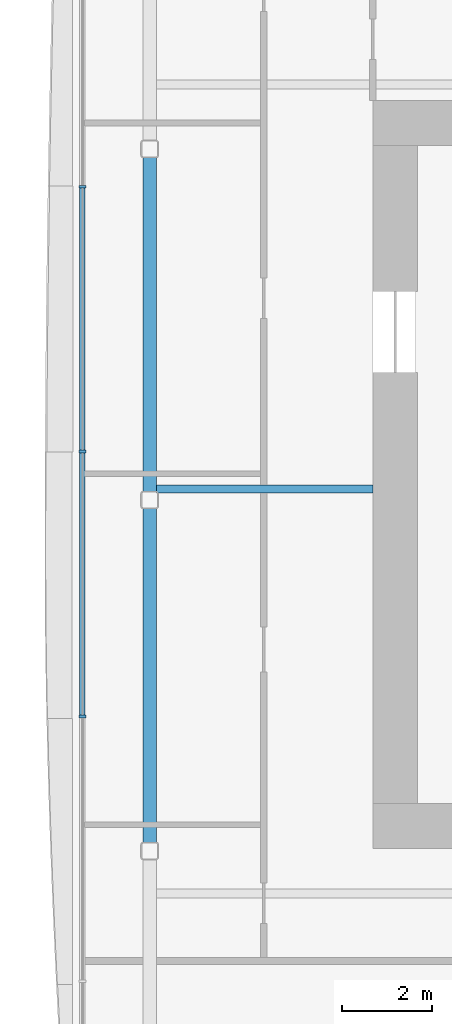
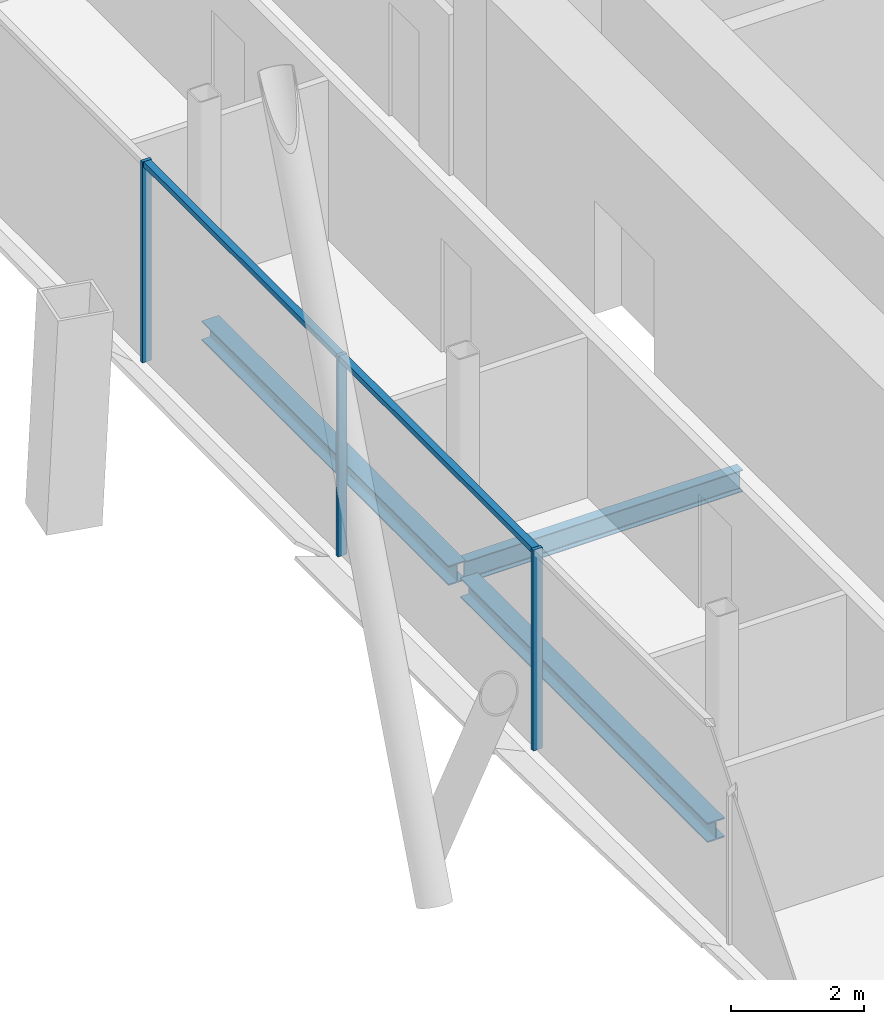
# One storey, part 5 of 22: 5 members, 3 beams, 1 element without a shape of its own.
"""IFC4 building model written with IfcOpenShell, lengths in metres."""

import ifcopenshell
import ifcopenshell.guid

model = None  # the IFC model being written
_history = None  # IfcOwnerHistory: only IFC2X3 demands one
_inside = {}  # id of a spatial element -> (the spatial element, [elements in it])
_under = {}  # id of a project, library or spatial element -> (it, [spatial elements below it])
_declared = {}  # id of a project -> (the project, [libraries it declares])
_typed = {}  # id of a type object -> (the type object, [elements of that type])
_made_of = {}  # id of a material, layer set ... -> (it, [elements and type objects made of it])


def new_model(schema):
    """Start an empty IFC model of exactly this schema.

    Asked for "IFC4X3", IfcOpenShell would pick the latest addendum, in which some entities
    have other attributes; the version numbers below select the first issue.
    IFC2X3 requires an IfcOwnerHistory on every rooted entity: one is made here for all.
    """
    global model, _history
    if schema == "IFC4X3":
        model = ifcopenshell.file(schema_version=(4, 3, 0, 0))
    else:
        model = ifcopenshell.file(schema=schema)
    _inside.clear()
    _under.clear()
    _declared.clear()
    _typed.clear()
    _made_of.clear()
    _history = None
    if model.schema == "IFC2X3":
        org = make("IfcOrganization", Name="unknown")
        user = make(
            "IfcPersonAndOrganization",
            ThePerson=make("IfcPerson", FamilyName="unknown"),
            TheOrganization=org,
        )
        app = make(
            "IfcApplication",
            ApplicationDeveloper=org,
            Version="unknown",
            ApplicationFullName="unknown",
            ApplicationIdentifier="unknown",
        )
        _history = make(
            "IfcOwnerHistory",
            OwningUser=user,
            OwningApplication=app,
            ChangeAction="ADDED",
            CreationDate=0,
        )
    return model


def make(cls, **values):
    """One entity of the class cls with the attributes given. An attribute that is None is left unset."""
    return model.create_entity(
        cls, **{name: value for name, value in values.items() if value is not None}
    )


def rooted(cls, **values):
    """An entity with a GlobalId (a new one), such as an element, a storey or a relation."""
    return make(cls, GlobalId=ifcopenshell.guid.new(), OwnerHistory=_history, **values)


def si_unit(unit_type, name, prefix=None):
    """IfcSIUnit, for example si_unit("LENGTHUNIT", "METRE", prefix="MILLI")."""
    return make("IfcSIUnit", UnitType=unit_type, Prefix=prefix, Name=name)


def assignment(units):
    """IfcUnitAssignment: the units of a project."""
    return None if units is None else make("IfcUnitAssignment", Units=units)


def point(xyz):
    """IfcCartesianPoint."""
    return None if xyz is None else make("IfcCartesianPoint", Coordinates=xyz)


def direction(xyz):
    """IfcDirection."""
    return None if xyz is None else make("IfcDirection", DirectionRatios=xyz)


def frame(location, z_axis=None, x_axis=None):
    """IfcAxis2Placement3D, a coordinate frame: its origin and axes. An axis left out is left unset."""
    return make(
        "IfcAxis2Placement3D",
        Location=point(location),
        Axis=direction(z_axis),
        RefDirection=direction(x_axis),
    )


def frame_2d(location, x_axis=None):
    """IfcAxis2Placement2D, a coordinate frame in the plane: its origin and x axis."""
    return make(
        "IfcAxis2Placement2D", Location=point(location), RefDirection=direction(x_axis)
    )


def origin():
    """The frame at (0, 0, 0) with its axes left unset."""
    return frame((0.0, 0.0, 0.0))


def origin_2d():
    """The frame at (0, 0) in the plane with its x axis left unset."""
    return frame_2d((0.0, 0.0))


def place(relative_to, where):
    """IfcLocalPlacement: puts the frame where relative to a parent placement (None: the world)."""
    return make(
        "IfcLocalPlacement", PlacementRelTo=relative_to, RelativePlacement=where
    )


def context(
    kind, dimensions, precision=None, world=None, true_north=None, identifier=None
):
    """IfcGeometricRepresentationContext, for example the 3D "Model" context."""
    return make(
        "IfcGeometricRepresentationContext",
        ContextIdentifier=identifier,
        ContextType=kind,
        CoordinateSpaceDimension=dimensions,
        Precision=precision,
        WorldCoordinateSystem=world,
        TrueNorth=true_north,
    )


def subcontext(parent, identifier, kind, view, scale=None):
    """IfcGeometricRepresentationSubContext, for example "Body" below "Model"."""
    return make(
        "IfcGeometricRepresentationSubContext",
        ContextIdentifier=identifier,
        ContextType=kind,
        ParentContext=parent,
        TargetScale=scale,
        TargetView=view,
    )


def project(units=None, contexts=None):
    """IfcProject with its units and contexts."""
    return rooted(
        "IfcProject",
        Name="project",
        RepresentationContexts=contexts,
        UnitsInContext=assignment(units),
    )


def spatial(cls, under=None, at=None, **own):
    """A site, building, storey or space (cls), placed at a placement, below another one or the project."""
    s = rooted(cls, ObjectPlacement=at, **own)
    if under is not None:
        _under.setdefault(under.id(), (under, []))[1].append(s)
    return s


def profile(cls, at=None, kind="AREA", **sizes):
    """A parametric profile (cls). Its sizes go by their IFC names, for example OverallWidth=200.0."""
    return make(cls, ProfileType=kind, Position=at, **sizes)


def rectangle(**sizes):
    """IfcRectangleProfileDef."""
    return profile("IfcRectangleProfileDef", **sizes)


def i_section(**sizes):
    """IfcIShapeProfileDef."""
    return profile("IfcIShapeProfileDef", **sizes)


def extrude(swept, where, along, depth):
    """IfcExtrudedAreaSolid: the profile swept, set in the frame where, extruded along a direction by depth."""
    return make(
        "IfcExtrudedAreaSolid",
        SweptArea=swept,
        Position=where,
        ExtrudedDirection=direction(along),
        Depth=depth,
    )


def shape(context_of_items, identifier, shape_type, items):
    """IfcShapeRepresentation: the items that make up one representation, for example the "Body"."""
    return make(
        "IfcShapeRepresentation",
        ContextOfItems=context_of_items,
        RepresentationIdentifier=identifier,
        RepresentationType=shape_type,
        Items=items,
    )


def material(Name=None, Category=None):
    """IfcMaterial."""
    return make("IfcMaterial", Name=Name, Category=Category)


def material_profile(
    of_material, cross_section, Name=None, Category=None, Priority=None
):
    """IfcMaterialProfile: a cross section and its material."""
    return make(
        "IfcMaterialProfile",
        Name=Name,
        Material=of_material,
        Profile=cross_section,
        Priority=Priority,
        Category=Category,
    )


def profile_set(profiles, Name=None, composite=None):
    """IfcMaterialProfileSet."""
    return make(
        "IfcMaterialProfileSet",
        Name=Name,
        MaterialProfiles=profiles,
        CompositeProfile=composite,
    )


def made_of(thing, what):
    """Note that an element or type object is made of a material, layer set ...; save() writes the relation."""
    if what is not None:
        _made_of.setdefault(what.id(), (what, []))[1].append(thing)
    return thing


def type_object(cls, material=None, **own):
    """A type object (cls), such as IfcWallType, which elements share."""
    return made_of(rooted(cls, **own), material)


def element(
    cls,
    number,
    at=None,
    inside=None,
    cuts=None,
    type_object=None,
    material=None,
    context=None,
    identifier="Body",
    shape_type=None,
    held_by="IfcProductDefinitionShape",
    body=None,
    shapes=None,
    **own,
):
    """One element of the class cls, such as IfcWall. Its Tag is "e" and its number.

    at: its placement. inside: the storey or other place that contains it. cuts: it is an
    opening in that element (IfcRelVoidsElement). A single representation is given by context,
    identifier, shape_type and body (its items); several are given by shapes. held_by: the class
    of the entity that holds the representations. save() writes the other relations.
    """
    e = rooted(cls, Tag="e%d" % number, ObjectPlacement=at, **own)
    if body is not None:
        shapes = [shape(context, identifier, shape_type, body)]
    if shapes is not None:
        e.Representation = make(held_by, Representations=shapes)
    if inside is not None:
        _inside.setdefault(inside.id(), (inside, []))[1].append(e)
    if cuts is not None:
        rooted(
            "IfcRelVoidsElement", RelatingBuildingElement=cuts, RelatedOpeningElement=e
        )
    if type_object is not None:
        _typed.setdefault(type_object.id(), (type_object, []))[1].append(e)
    return made_of(e, material)


def aggregate(whole, parts):
    """IfcRelAggregates: a whole, such as a stair, and the parts it consists of."""
    return rooted("IfcRelAggregates", RelatingObject=whole, RelatedObjects=parts)


def save(model, path):
    """Write the relations noted so far, then the file.

    IfcRelAggregates (storeys below a building ...), IfcRelContainedInSpatialStructure (elements
    in a storey), IfcRelDefinesByType, IfcRelAssociatesMaterial and IfcRelDeclares: one each for
    every whole, place, type object, material and project.
    """
    for whole, parts in _under.values():
        aggregate(whole, parts)
    for where, things in _inside.values():
        rooted(
            "IfcRelContainedInSpatialStructure",
            RelatedElements=things,
            RelatingStructure=where,
        )
    for kind, things in _typed.values():
        rooted("IfcRelDefinesByType", RelatedObjects=things, RelatingType=kind)
    for what, things in _made_of.values():
        rooted("IfcRelAssociatesMaterial", RelatedObjects=things, RelatingMaterial=what)
    for by, libraries in _declared.values():
        rooted("IfcRelDeclares", RelatingContext=by, RelatedDefinitions=libraries)
    model.write(path)


model = new_model("IFC4")

# Units and contexts
model_context = context("Model", 3, precision=1e-05, world=origin(), true_north=direction((0.0, 1.0)))
body_context = subcontext(model_context, "Body", "Model", "MODEL_VIEW")
ifc_project = project(units=[si_unit("LENGTHUNIT", "METRE"), si_unit("AREAUNIT", "SQUARE_METRE"), si_unit("VOLUMEUNIT", "CUBIC_METRE"), si_unit("PLANEANGLEUNIT", "RADIAN"), si_unit("MASSUNIT", "GRAM", prefix="KILO")], contexts=[model_context])

# Site, building, storey
site_placement = place(None, origin())
site = spatial("IfcSite", under=ifc_project, at=site_placement, CompositionType="ELEMENT")
building_placement = place(site_placement, origin())
building = spatial("IfcBuilding", under=site, at=building_placement, Name="Tskaro Facet Tower", CompositionType="ELEMENT")
storey_placement = place(building_placement, frame((0.0, 0.0, 85.5)))
storey = spatial("IfcBuildingStorey", under=building, at=storey_placement, Name="L20", CompositionType="ELEMENT", Elevation=85.5)

# Curtain wall, members
ifc_material_1 = material(Name="Bronze anodised aluminium 6063-T6", Category="aluminium")
curtain_wall_type = type_object("IfcCurtainWallType", Name="Bronze office curtain wall (FW1)", PredefinedType="NOTDEFINED", material=ifc_material_1)
curtain_wall_placement = place(storey_placement, origin())
curtain_wall = element("IfcCurtainWall", 1, at=curtain_wall_placement, inside=storey, type_object=curtain_wall_type, Name="FW1 west facet L20", PredefinedType="NOTDEFINED")
ifc_material_profile_1 = material_profile(ifc_material_1, rectangle(XDim=0.06005859375, YDim=0.159912109375, at=origin_2d()), Name="Mullion 60x160")
ifc_profile_set_1 = profile_set([ifc_material_profile_1], Name="Bronze anodised aluminium 6063-T6")
member_type_1 = type_object("IfcMemberType", Name="FW1 bronze mullion 60x160", PredefinedType="MULLION", material=ifc_profile_set_1)
member_1_placement = place(storey_placement, frame((-21.462890625, 2.229736328125, 0.0), z_axis=(0.0, 0.0, 1.0), x_axis=(0.0, -1.0, 0.0)))
member_1 = element("IfcMember", 2, at=member_1_placement, type_object=member_type_1, Name="FW1 west mullion 3", PredefinedType="MULLION", context=body_context, shape_type="SweptSolid", body=[
    extrude(rectangle(XDim=0.06005859375, YDim=0.159912109375, at=origin_2d()), origin(), (0.0, 0.0, 1.0), 3.699951171875),
])
member_2_placement = place(storey_placement, frame((-21.462890625, -3.664794921875, 0.0), z_axis=(0.0, 0.0, 1.0), x_axis=(0.0, -1.0, 0.0)))
member_2 = element("IfcMember", 3, at=member_2_placement, type_object=member_type_1, Name="FW1 west mullion 4", PredefinedType="MULLION", context=body_context, shape_type="SweptSolid", body=[
    extrude(rectangle(XDim=0.06005859375, YDim=0.159912109375, at=origin_2d()), origin(), (0.0, 0.0, 1.0), 3.699951171875),
])
member_3_placement = place(storey_placement, frame((-21.462890625, -9.55908203125, 0.0), z_axis=(0.0, 0.0, 1.0), x_axis=(0.0, -1.0, 0.0)))
member_3 = element("IfcMember", 4, at=member_3_placement, type_object=member_type_1, Name="FW1 west mullion 5", PredefinedType="MULLION", context=body_context, shape_type="SweptSolid", body=[
    extrude(rectangle(XDim=0.06005859375, YDim=0.159912109375, at=origin_2d()), origin(), (0.0, 0.0, 1.0), 3.699951171875),
])
ifc_material_profile_2 = material_profile(ifc_material_1, rectangle(XDim=0.1201171875, YDim=0.10009765625, at=origin_2d()), Name="Transom 120x100")
ifc_profile_set_2 = profile_set([ifc_material_profile_2], Name="Bronze anodised aluminium 6063-T6")
member_type_2 = type_object("IfcMemberType", Name="FW1 bronze transom 120x100", PredefinedType="USERDEFINED", material=ifc_profile_set_2)
member_4_placement = place(storey_placement, frame((-21.462890625, 2.19970703125, 3.64990234375), z_axis=(0.0, -1.0, 0.0), x_axis=(1.0, 0.0, 0.0)))
member_4 = element("IfcMember", 5, at=member_4_placement, type_object=member_type_2, Name="FW1 west transom 4.1", ObjectType="TRANSOM", PredefinedType="USERDEFINED", context=body_context, shape_type="SweptSolid", body=[
    extrude(rectangle(XDim=0.1201171875, YDim=0.10009765625, at=origin_2d()), origin(), (0.0, 0.0, 1.0), 5.83447265625),
])
member_5_placement = place(storey_placement, frame((-21.462890625, -3.69482421875, 3.64990234375), z_axis=(0.0, -1.0, 0.0), x_axis=(1.0, 0.0, 0.0)))
member_5 = element("IfcMember", 6, at=member_5_placement, type_object=member_type_2, Name="FW1 west transom 5.1", ObjectType="TRANSOM", PredefinedType="USERDEFINED", context=body_context, shape_type="SweptSolid", body=[
    extrude(rectangle(XDim=0.1201171875, YDim=0.10009765625, at=origin_2d()), origin(), (0.0, 0.0, 1.0), 5.834228515625),
])
aggregate(curtain_wall, [member_1, member_2, member_3, member_4, member_5])

# Beams
ifc_material_2 = material(Name="Steel S355J2", Category="steel")
ifc_material_profile_3 = material_profile(ifc_material_2, i_section(OverallWidth=0.300048828125, OverallDepth=0.360107421875, WebThickness=0.012451171875, FlangeThickness=0.0224609375, FilletRadius=0.027099609375, at=origin_2d()), Name="HE 360 B")
ifc_profile_set_3 = profile_set([ifc_material_profile_3], Name="Steel S355J2")
beam_type_1 = type_object("IfcBeamType", Name="HE 360 B ring beam", PredefinedType="BEAM", material=ifc_profile_set_3)
beam_1_placement = place(storey_placement, frame((-19.965087890625, 2.887939453125, -0.320068359375), z_axis=(0.0, -1.0, 0.0), x_axis=(1.0, 0.0, 0.0)))
element("IfcBeam", 7, at=beam_1_placement, inside=storey, type_object=beam_type_1, Name="HE 360 B EB21-2", PredefinedType="BEAM", context=body_context, shape_type="SweptSolid", body=[
    extrude(i_section(OverallWidth=0.300048828125, OverallDepth=0.360107421875, WebThickness=0.012451171875, FlangeThickness=0.0224609375, FilletRadius=0.027099609375, at=origin_2d()), origin(), (0.0, 0.0, 1.0), 7.449951171875),
])
beam_2_placement = place(storey_placement, frame((-19.965087890625, -4.922119140625, -0.320068359375), z_axis=(0.0, -1.0, 0.0), x_axis=(1.0, 0.0, 0.0)))
element("IfcBeam", 8, at=beam_2_placement, inside=storey, type_object=beam_type_1, Name="HE 360 B EB22-2", PredefinedType="BEAM", context=body_context, shape_type="SweptSolid", body=[
    extrude(i_section(OverallWidth=0.300048828125, OverallDepth=0.360107421875, WebThickness=0.012451171875, FlangeThickness=0.0224609375, FilletRadius=0.027099609375, at=origin_2d()), origin(), (0.0, 0.0, 1.0), 7.450927734375),
])
ifc_material_profile_4 = material_profile(ifc_material_2, i_section(OverallWidth=0.179931640625, OverallDepth=0.39990234375, WebThickness=0.008544921875, FlangeThickness=0.013427734375, FilletRadius=0.02099609375, at=origin_2d()), Name="IPE 400")
ifc_profile_set_4 = profile_set([ifc_material_profile_4], Name="Steel S355J2")
beam_type_2 = type_object("IfcBeamType", Name="IPE 400 secondary beam", PredefinedType="BEAM", material=ifc_profile_set_4)
beam_3_placement = place(storey_placement, frame((-19.81494140625, -4.5, -0.340087890625), z_axis=(1.0, 0.0, 0.0), x_axis=(0.0, 1.0, 0.0)))
element("IfcBeam", 9, at=beam_3_placement, inside=storey, type_object=beam_type_2, Name="IPE 400 SB3a-1-2", PredefinedType="BEAM", context=body_context, shape_type="SweptSolid", body=[
    extrude(i_section(OverallWidth=0.179931640625, OverallDepth=0.39990234375, WebThickness=0.008544921875, FlangeThickness=0.013427734375, FilletRadius=0.02099609375, at=origin_2d()), origin(), (0.0, 0.0, 1.0), 4.81494140625),
])

save(model, "model.ifc")
